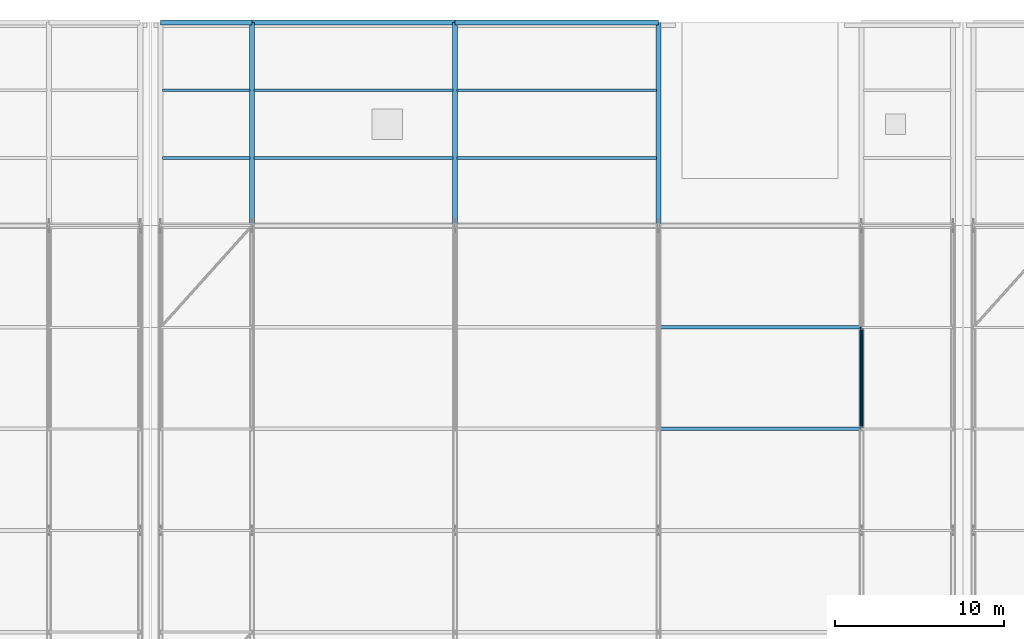
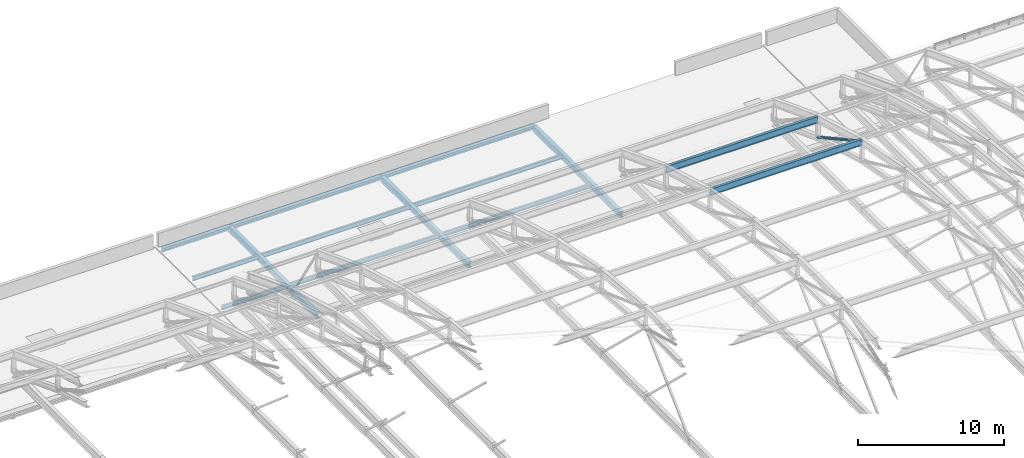
# One storey, part 151 of 204: 12 beams, 3 members.
"""IFC4 building model written with IfcOpenShell, lengths in metres."""

from ifc_helpers import new_model, si_unit, direction, frame, origin, origin_2d, place, context, subcontext, project, spatial, hollow_circle, i_section, extrude, material, material_profile, profile_set, type_object, element, save


model = new_model("IFC4")

# Units and contexts
model_context = context("Model", 3, precision=1e-05, world=origin(), true_north=direction((0.0, 1.0)))
body_context = subcontext(model_context, "Body", "Model", "MODEL_VIEW")
ifc_project = project(units=[si_unit("LENGTHUNIT", "METRE"), si_unit("AREAUNIT", "SQUARE_METRE"), si_unit("VOLUMEUNIT", "CUBIC_METRE"), si_unit("PLANEANGLEUNIT", "RADIAN"), si_unit("MASSUNIT", "GRAM", prefix="KILO")], contexts=[model_context])

# Site, building, storey
site_placement = place(None, origin())
site = spatial("IfcSite", under=ifc_project, at=site_placement, CompositionType="ELEMENT")
building_placement = place(site_placement, origin())
building = spatial("IfcBuilding", under=site, at=building_placement, Name="Zilviju Railside Exhibition Hall", CompositionType="ELEMENT")
storey_placement = place(building_placement, frame((0.0, 0.0, 21.0)))
storey = spatial("IfcBuildingStorey", under=building, at=storey_placement, Name="RF", CompositionType="ELEMENT", Elevation=21.0)

# Beams
ifc_material = material(Name="Steel S355J2", Category="steel")
ifc_material_profile_1 = material_profile(ifc_material, i_section(OverallWidth=0.300048828125, OverallDepth=0.2900390625, WebThickness=0.008544921875, FlangeThickness=0.013916015625, at=origin_2d()), Name="HEA 300")
ifc_profile_set_1 = profile_set([ifc_material_profile_1], Name="Steel S355J2")
beam_type_1 = type_object("IfcBeamType", Name="BM-HEA300", PredefinedType="SPANDREL", material=ifc_profile_set_1)
beam_placement = place(storey_placement, frame((126.60009765625, 150.0, -7.094970703125), z_axis=(1.0, 0.0, 0.0), x_axis=(0.0, 1.0, 0.0)))
element("IfcBeam", 1, at=beam_placement, inside=storey, type_object=beam_type_1, Name="Logistics Roof Beam Y=150.0 (126.6..132.0)", PredefinedType="SPANDREL", context=body_context, shape_type="SweptSolid", body=[
    extrude(i_section(OverallWidth=0.300048828125, OverallDepth=0.2900390625, WebThickness=0.008544921875, FlangeThickness=0.013916015625, at=origin_2d()), origin(), (0.0, 0.0, 1.0), 5.39990234375),
])
for number, where, z_axis, x_axis, name in (
    (2, (132.0, 150.0, -7.094970703125), (1.0, 0.0, 0.0), (0.0, 1.0, 0.0), "Logistics Roof Beam Y=150.0 (132.0..144.0)"),
    (3, (144.0, 150.0, -7.094970703125), (1.0, 0.0, 0.0), (0.0, 1.0, 0.0), "Logistics Roof Beam Y=150.0 (144.0..156.0)"),
):
    element("IfcBeam", number, at=place(storey_placement, frame(where, z_axis=z_axis, x_axis=x_axis)), inside=storey, type_object=beam_type_1, Name=name, PredefinedType="SPANDREL", context=body_context, shape_type="SweptSolid", body=[
        extrude(i_section(OverallWidth=0.300048828125, OverallDepth=0.2900390625, WebThickness=0.008544921875, FlangeThickness=0.013916015625, at=origin_2d()), origin(), (0.0, 0.0, 1.0), 12.0),
    ])
ifc_material_profile_2 = material_profile(ifc_material, i_section(OverallWidth=0.300048828125, OverallDepth=0.5, WebThickness=0.014404296875, FlangeThickness=0.028076171875, at=origin_2d()), Name="HEB 500")
ifc_profile_set_2 = profile_set([ifc_material_profile_2], Name="Steel S355J2")
beam_type_2 = type_object("IfcBeamType", Name="BM-HEB500", PredefinedType="BEAM", material=ifc_profile_set_2)
for number, where, z_axis, x_axis, name in (
    (4, (132.0, 138.0, -7.199951171875), (0.0, 1.0, 0.0), (-1.0, 0.0, 0.0), "Logistics Roof Girder X=132.0"),
    (5, (144.0, 138.0, -7.199951171875), (0.0, 1.0, 0.0), (-1.0, 0.0, 0.0), "Logistics Roof Girder X=144.0"),
    (6, (156.0, 138.0, -7.199951171875), (0.0, 1.0, 0.0), (-1.0, 0.0, 0.0), "Logistics Roof Girder X=156.0"),
):
    element("IfcBeam", number, at=place(storey_placement, frame(where, z_axis=z_axis, x_axis=x_axis)), inside=storey, type_object=beam_type_2, Name=name, PredefinedType="BEAM", context=body_context, shape_type="SweptSolid", body=[
        extrude(i_section(OverallWidth=0.300048828125, OverallDepth=0.5, WebThickness=0.014404296875, FlangeThickness=0.028076171875, at=origin_2d()), origin(), (0.0, 0.0, 1.0), 12.0),
    ])
ifc_material_profile_3 = material_profile(ifc_material, i_section(OverallWidth=0.169921875, OverallDepth=0.360107421875, WebThickness=0.008056640625, FlangeThickness=0.0126953125, at=origin_2d()), Name="IPE 360")
ifc_profile_set_3 = profile_set([ifc_material_profile_3], Name="Steel S355J2")
beam_type_3 = type_object("IfcBeamType", Name="BM-IPE360", PredefinedType="JOIST", material=ifc_profile_set_3)
for number, where, z_axis, x_axis, name in (
    (7, (126.719970703125, 142.0, -7.1298828125), (1.0, 0.0, 0.0), (0.0, 1.0, 0.0), "Logistics Roof Beam Y=142.0 (126.6..132.0)"),
    (8, (126.719970703125, 146.0, -7.1298828125), (1.0, 0.0, 0.0), (0.0, 1.0, 0.0), "Logistics Roof Beam Y=146.0 (126.6..132.0)"),
):
    element("IfcBeam", number, at=place(storey_placement, frame(where, z_axis=z_axis, x_axis=x_axis)), inside=storey, type_object=beam_type_3, Name=name, PredefinedType="JOIST", context=body_context, shape_type="SweptSolid", body=[
        extrude(i_section(OverallWidth=0.169921875, OverallDepth=0.360107421875, WebThickness=0.008056640625, FlangeThickness=0.0126953125, at=origin_2d()), origin(), (0.0, 0.0, 1.0), 5.159912109375),
    ])
for number, where, z_axis, x_axis, name in (
    (9, (132.1201171875, 142.0, -7.1298828125), (1.0, 0.0, 0.0), (0.0, 1.0, 0.0), "Logistics Roof Beam Y=142.0 (132.0..144.0)"),
    (10, (132.1201171875, 146.0, -7.1298828125), (1.0, 0.0, 0.0), (0.0, 1.0, 0.0), "Logistics Roof Beam Y=146.0 (132.0..144.0)"),
    (11, (144.1201171875, 142.0, -7.1298828125), (1.0, 0.0, 0.0), (0.0, 1.0, 0.0), "Logistics Roof Beam Y=142.0 (144.0..156.0)"),
    (12, (144.1201171875, 146.0, -7.1298828125), (1.0, 0.0, 0.0), (0.0, 1.0, 0.0), "Logistics Roof Beam Y=146.0 (144.0..156.0)"),
):
    element("IfcBeam", number, at=place(storey_placement, frame(where, z_axis=z_axis, x_axis=x_axis)), inside=storey, type_object=beam_type_3, Name=name, PredefinedType="JOIST", context=body_context, shape_type="SweptSolid", body=[
        extrude(i_section(OverallWidth=0.169921875, OverallDepth=0.360107421875, WebThickness=0.008056640625, FlangeThickness=0.0126953125, at=origin_2d()), origin(), (0.0, 0.0, 1.0), 11.759765625),
    ])

# Members
ifc_material_profile_4 = material_profile(ifc_material, hollow_circle(Radius=0.109619140625, WallThickness=0.010009765625, at=origin_2d()), Name="CHS 219.1x10.0")
ifc_profile_set_4 = profile_set([ifc_material_profile_4], Name="Steel S355J2")
member_type_1 = type_object("IfcMemberType", Name="TR-BR-CHS219", PredefinedType="BRACE", material=ifc_profile_set_4)
member_placement = place(storey_placement, frame((168.0, 126.0, 2.009765625), z_axis=(0.0, 0.8750828143, -0.483973210122), x_axis=(-1.0, 0.0, 0.0)))
element("IfcMember", 13, at=member_placement, inside=storey, type_object=member_type_1, Name="V2 Parabolic Arch Web Diagonal X=168.0 P8", PredefinedType="BRACE", context=body_context, shape_type="SweptSolid", body=[
    extrude(hollow_circle(Radius=0.109619140625, WallThickness=0.010009765625, at=origin_2d()), origin(), (0.0, 0.0, 1.0), 6.8564453125),
])
ifc_material_profile_5 = material_profile(ifc_material, i_section(OverallWidth=0.2099609375, OverallDepth=0.550048828125, WebThickness=0.010986328125, FlangeThickness=0.01708984375, at=origin_2d()), Name="IPE 550")
ifc_profile_set_5 = profile_set([ifc_material_profile_5], Name="Steel S355J2")
member_type_2 = type_object("IfcMemberType", Name="TR-PUR-IPE550", PredefinedType="PURLIN", material=ifc_profile_set_5)
for number, where, z_axis, x_axis, name in (
    (14, (156.0, 126.0, 1.97509765625), (1.0, 0.0, 0.0), (0.0, 1.0, 0.0), "V2 Barrel Vault Roof Purlin Y=126.0 (156.0..168.0)"),
    (15, (156.0, 132.0, 0.239501953125), (1.0, 0.0, 0.0), (0.0, 1.0, 0.0), "V2 Barrel Vault Roof Purlin Y=132.0 (156.0..168.0)"),
):
    element("IfcMember", number, at=place(storey_placement, frame(where, z_axis=z_axis, x_axis=x_axis)), inside=storey, type_object=member_type_2, Name=name, PredefinedType="PURLIN", context=body_context, shape_type="SweptSolid", body=[
        extrude(i_section(OverallWidth=0.2099609375, OverallDepth=0.550048828125, WebThickness=0.010986328125, FlangeThickness=0.01708984375, at=origin_2d()), origin(), (0.0, 0.0, 1.0), 12.0),
    ])

save(model, "model.ifc")
